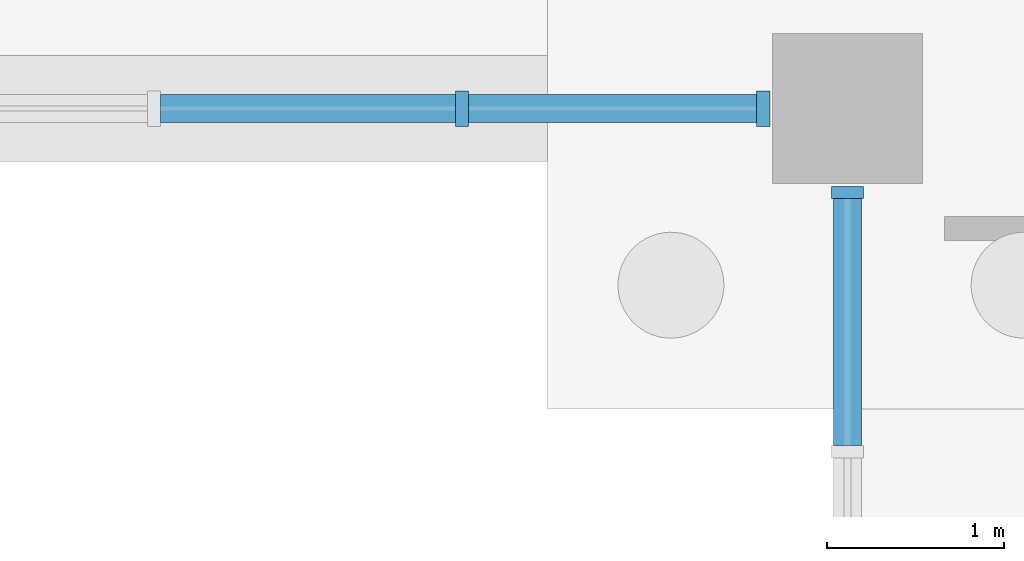
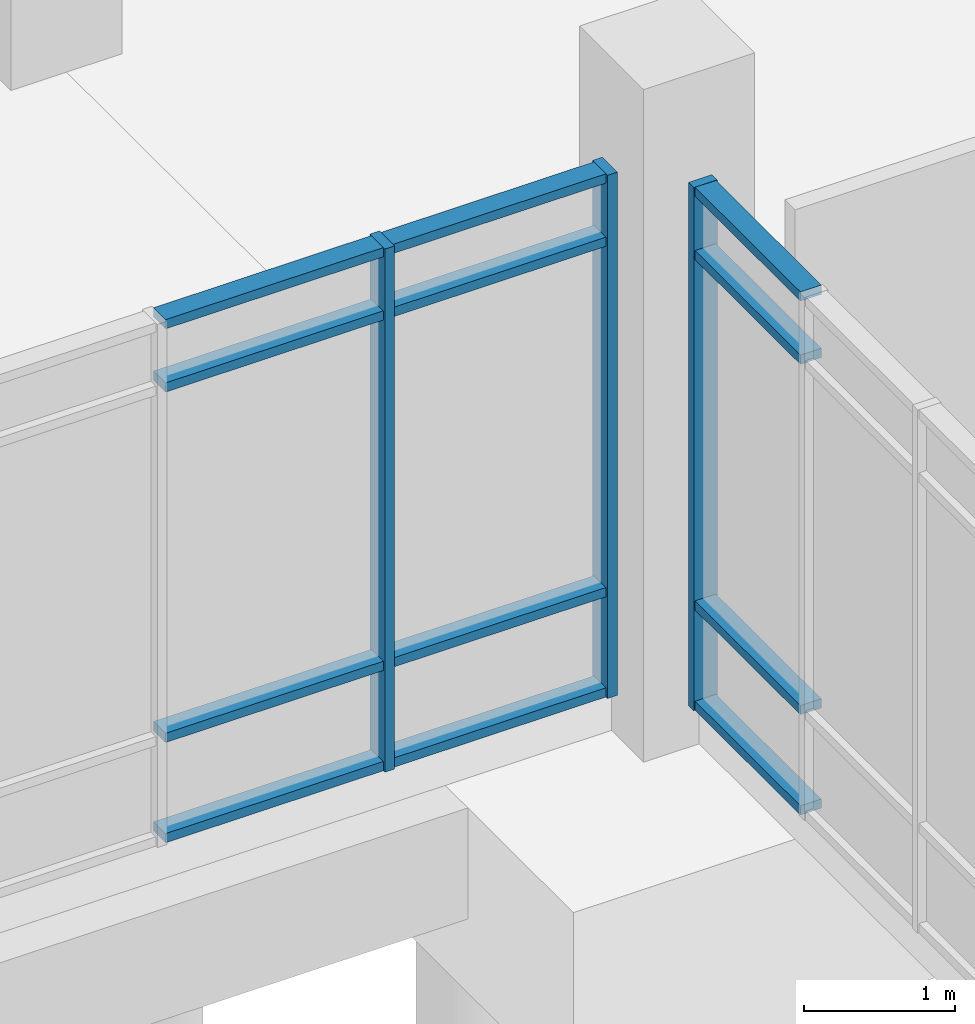
# One storey, part 56 of 136: 15 members, 2 elements without a shape of their own.
"""IFC4 building model written with IfcOpenShell, lengths in metres."""

from ifc_helpers import new_model, si_unit, direction, frame, origin, origin_2d, place, context, subcontext, project, spatial, rectangle, extrude, material, material_profile, profile_set, type_object, element, aggregate, save


model = new_model("IFC4")

# Units and contexts
model_context = context("Model", 3, precision=1e-05, world=origin(), true_north=direction((0.0, 1.0)))
body_context = subcontext(model_context, "Body", "Model", "MODEL_VIEW")
ifc_project = project(units=[si_unit("LENGTHUNIT", "METRE"), si_unit("AREAUNIT", "SQUARE_METRE"), si_unit("VOLUMEUNIT", "CUBIC_METRE"), si_unit("PLANEANGLEUNIT", "RADIAN"), si_unit("MASSUNIT", "GRAM", prefix="KILO")], contexts=[model_context])

# Site, building, storey
site_placement = place(None, origin())
site = spatial("IfcSite", under=ifc_project, at=site_placement, CompositionType="ELEMENT")
building_placement = place(site_placement, origin())
building = spatial("IfcBuilding", under=site, at=building_placement, Name="Oolite Switchyard Hospital", CompositionType="ELEMENT")
storey_placement = place(building_placement, origin())
storey = spatial("IfcBuildingStorey", under=building, at=storey_placement, Name="L00", CompositionType="ELEMENT", Elevation=0.0)

# Curtain wall, member
ifc_material_1 = material(Name="Thermally broken aluminum frame with laminated impact glazing", Category="aluminium")
curtain_wall_type_1 = type_object("IfcCurtainWallType", Name="CW-UNIT-84X51", PredefinedType="USERDEFINED", material=ifc_material_1)
curtain_wall_1_placement = place(storey_placement, origin())
curtain_wall_1 = element("IfcCurtainWall", 1, at=curtain_wall_1_placement, inside=storey, type_object=curtain_wall_type_1, Name="L00 Unitised Curtain Wall 85", ObjectType="UNITISED", PredefinedType="USERDEFINED")
ifc_material_2 = material(Name="Aluminium 6063-T6", Category="aluminium")
ifc_material_profile_1 = material_profile(ifc_material_2, rectangle(XDim=0.179931640625, YDim=0.070068359375, at=origin_2d()), Name="CWM70X180")
ifc_profile_set_1 = profile_set([ifc_material_profile_1], Name="Aluminium 6063-T6")
member_type_1 = type_object("IfcMemberType", Name="CW-MUL-220", PredefinedType="MULLION", material=ifc_profile_set_1)
member_1_placement = place(storey_placement, frame((182.39990234375, 58.324951171875, 0.0), z_axis=(0.0, 0.0, 1.0), x_axis=(-1.0, 0.0, 0.0)))
member_1 = element("IfcMember", 2, at=member_1_placement, type_object=member_type_1, Name="CW-06 mullion 6", PredefinedType="MULLION", context=body_context, shape_type="SweptSolid", body=[
    extrude(rectangle(XDim=0.179931640625, YDim=0.070068359375, at=origin_2d()), origin(), (0.0, 0.0, 1.0), 4.239990234375),
])

# Curtain wall, members
curtain_wall_type_2 = type_object("IfcCurtainWallType", Name="CW-UNIT-96X51", PredefinedType="USERDEFINED", material=ifc_material_1)
curtain_wall_2_placement = place(storey_placement, origin())
curtain_wall_2 = element("IfcCurtainWall", 3, at=curtain_wall_2_placement, inside=storey, type_object=curtain_wall_type_2, Name="L00 Unitised Curtain Wall 23", ObjectType="UNITISED", PredefinedType="USERDEFINED")
ifc_material_profile_2 = material_profile(ifc_material_2, rectangle(XDim=0.199951171875, YDim=0.074951171875, at=origin_2d()), Name="CWM75X200")
ifc_profile_set_2 = profile_set([ifc_material_profile_2], Name="Aluminium 6063-T6")
member_type_2 = type_object("IfcMemberType", Name="CW-MUL-260", PredefinedType="MULLION", material=ifc_profile_set_2)
member_2_placement = place(storey_placement, frame((181.922607421875, 58.800048828125, 0.0), z_axis=(0.0, 0.0, 1.0), x_axis=(0.0, -1.0, 0.0)))
member_2 = element("IfcMember", 4, at=member_2_placement, type_object=member_type_2, Name="CW-01 mullion 1", PredefinedType="MULLION", context=body_context, shape_type="SweptSolid", body=[
    extrude(rectangle(XDim=0.199951171875, YDim=0.074951171875, at=origin_2d()), origin(), (0.0, 0.0, 1.0), 4.239990234375),
])
member_3_placement = place(storey_placement, frame((180.216064453125, 58.800048828125, 0.0), z_axis=(0.0, 0.0, 1.0), x_axis=(0.0, -1.0, 0.0)))
member_3 = element("IfcMember", 5, at=member_3_placement, type_object=member_type_2, Name="CW-01 mullion 2", PredefinedType="MULLION", context=body_context, shape_type="SweptSolid", body=[
    extrude(rectangle(XDim=0.199951171875, YDim=0.074951171875, at=origin_2d()), origin(), (0.0, 0.0, 1.0), 4.239990234375),
])
ifc_material_profile_3 = material_profile(ifc_material_2, rectangle(XDim=0.159912109375, YDim=0.074951171875, at=origin_2d()), Name="CWT75X160")
ifc_profile_set_3 = profile_set([ifc_material_profile_3], Name="Aluminium 6063-T6")
member_type_3 = type_object("IfcMemberType", Name="CW-TRN-180", PredefinedType="USERDEFINED", material=ifc_profile_set_3)
member_4_placement = place(storey_placement, frame((181.885009765625, 58.800048828125, 0.03759765625), z_axis=(-1.0, 0.0, 0.0), x_axis=(0.0, -1.0, 0.0)))
member_4 = element("IfcMember", 6, at=member_4_placement, type_object=member_type_3, Name="CW-01 transom 1.1", ObjectType="TRANSOM", PredefinedType="USERDEFINED", context=body_context, shape_type="SweptSolid", body=[
    extrude(rectangle(XDim=0.159912109375, YDim=0.074951171875, at=origin_2d()), origin(), (0.0, 0.0, 1.0), 1.631591796875),
])
member_5_placement = place(storey_placement, frame((181.885009765625, 58.800048828125, 0.85009765625), z_axis=(-1.0, 0.0, 0.0), x_axis=(0.0, -1.0, 0.0)))
member_5 = element("IfcMember", 7, at=member_5_placement, type_object=member_type_3, Name="CW-01 transom 1.2", ObjectType="TRANSOM", PredefinedType="USERDEFINED", context=body_context, shape_type="SweptSolid", body=[
    extrude(rectangle(XDim=0.159912109375, YDim=0.074951171875, at=origin_2d()), origin(), (0.0, 0.0, 1.0), 1.631591796875),
])
member_6_placement = place(storey_placement, frame((181.885009765625, 58.800048828125, 3.68994140625), z_axis=(-1.0, 0.0, 0.0), x_axis=(0.0, -1.0, 0.0)))
member_6 = element("IfcMember", 8, at=member_6_placement, type_object=member_type_3, Name="CW-01 transom 1.3", ObjectType="TRANSOM", PredefinedType="USERDEFINED", context=body_context, shape_type="SweptSolid", body=[
    extrude(rectangle(XDim=0.159912109375, YDim=0.074951171875, at=origin_2d()), origin(), (0.0, 0.0, 1.0), 1.631591796875),
])
member_7_placement = place(storey_placement, frame((181.885009765625, 58.800048828125, 4.202392578125), z_axis=(-1.0, 0.0, 0.0), x_axis=(0.0, -1.0, 0.0)))
member_7 = element("IfcMember", 9, at=member_7_placement, type_object=member_type_3, Name="CW-01 transom 1.4", ObjectType="TRANSOM", PredefinedType="USERDEFINED", context=body_context, shape_type="SweptSolid", body=[
    extrude(rectangle(XDim=0.159912109375, YDim=0.074951171875, at=origin_2d()), origin(), (0.0, 0.0, 1.0), 1.631591796875),
])
member_8_placement = place(storey_placement, frame((180.178466796875, 58.800048828125, 0.03759765625), z_axis=(-1.0, 0.0, 0.0), x_axis=(0.0, -1.0, 0.0)))
member_8 = element("IfcMember", 10, at=member_8_placement, type_object=member_type_3, Name="CW-01 transom 2.1", ObjectType="TRANSOM", PredefinedType="USERDEFINED", context=body_context, shape_type="SweptSolid", body=[
    extrude(rectangle(XDim=0.159912109375, YDim=0.074951171875, at=origin_2d()), origin(), (0.0, 0.0, 1.0), 1.6689453125),
])
member_9_placement = place(storey_placement, frame((180.178466796875, 58.800048828125, 0.85009765625), z_axis=(-1.0, 0.0, 0.0), x_axis=(0.0, -1.0, 0.0)))
member_9 = element("IfcMember", 11, at=member_9_placement, type_object=member_type_3, Name="CW-01 transom 2.2", ObjectType="TRANSOM", PredefinedType="USERDEFINED", context=body_context, shape_type="SweptSolid", body=[
    extrude(rectangle(XDim=0.159912109375, YDim=0.074951171875, at=origin_2d()), origin(), (0.0, 0.0, 1.0), 1.6689453125),
])
member_10_placement = place(storey_placement, frame((180.178466796875, 58.800048828125, 3.68994140625), z_axis=(-1.0, 0.0, 0.0), x_axis=(0.0, -1.0, 0.0)))
member_10 = element("IfcMember", 12, at=member_10_placement, type_object=member_type_3, Name="CW-01 transom 2.3", ObjectType="TRANSOM", PredefinedType="USERDEFINED", context=body_context, shape_type="SweptSolid", body=[
    extrude(rectangle(XDim=0.159912109375, YDim=0.074951171875, at=origin_2d()), origin(), (0.0, 0.0, 1.0), 1.6689453125),
])
member_11_placement = place(storey_placement, frame((180.178466796875, 58.800048828125, 4.202392578125), z_axis=(-1.0, 0.0, 0.0), x_axis=(0.0, -1.0, 0.0)))
member_11 = element("IfcMember", 13, at=member_11_placement, type_object=member_type_3, Name="CW-01 transom 2.4", ObjectType="TRANSOM", PredefinedType="USERDEFINED", context=body_context, shape_type="SweptSolid", body=[
    extrude(rectangle(XDim=0.159912109375, YDim=0.074951171875, at=origin_2d()), origin(), (0.0, 0.0, 1.0), 1.6689453125),
])
aggregate(curtain_wall_2, [member_2, member_3, member_4, member_5, member_6, member_7, member_8, member_9, member_10, member_11])

# Member
member_12_placement = place(storey_placement, frame((182.39990234375, 56.89111328125, 0.03759765625), z_axis=(0.0, 1.0, 0.0), x_axis=(-1.0, 0.0, 0.0)))
member_12 = element("IfcMember", 14, at=member_12_placement, type_object=member_type_3, Name="CW-06 transom 5.1", ObjectType="TRANSOM", PredefinedType="USERDEFINED", context=body_context, shape_type="SweptSolid", body=[
    extrude(rectangle(XDim=0.159912109375, YDim=0.074951171875, at=origin_2d()), origin(), (0.0, 0.0, 1.0), 1.39892578125),
])

member_13_placement = place(storey_placement, frame((182.39990234375, 56.89111328125, 0.85009765625), z_axis=(0.0, 1.0, 0.0), x_axis=(-1.0, 0.0, 0.0)))
member_13 = element("IfcMember", 15, at=member_13_placement, type_object=member_type_3, Name="CW-06 transom 5.2", ObjectType="TRANSOM", PredefinedType="USERDEFINED", context=body_context, shape_type="SweptSolid", body=[
    extrude(rectangle(XDim=0.159912109375, YDim=0.074951171875, at=origin_2d()), origin(), (0.0, 0.0, 1.0), 1.39892578125),
])

member_14_placement = place(storey_placement, frame((182.39990234375, 56.89111328125, 3.68994140625), z_axis=(0.0, 1.0, 0.0), x_axis=(-1.0, 0.0, 0.0)))
member_14 = element("IfcMember", 16, at=member_14_placement, type_object=member_type_3, Name="CW-06 transom 5.3", ObjectType="TRANSOM", PredefinedType="USERDEFINED", context=body_context, shape_type="SweptSolid", body=[
    extrude(rectangle(XDim=0.159912109375, YDim=0.074951171875, at=origin_2d()), origin(), (0.0, 0.0, 1.0), 1.39892578125),
])

member_15_placement = place(storey_placement, frame((182.39990234375, 56.89111328125, 4.202392578125), z_axis=(0.0, 1.0, 0.0), x_axis=(-1.0, 0.0, 0.0)))
member_15 = element("IfcMember", 17, at=member_15_placement, type_object=member_type_3, Name="CW-06 transom 5.4", ObjectType="TRANSOM", PredefinedType="USERDEFINED", context=body_context, shape_type="SweptSolid", body=[
    extrude(rectangle(XDim=0.159912109375, YDim=0.074951171875, at=origin_2d()), origin(), (0.0, 0.0, 1.0), 1.39892578125),
])

aggregate(curtain_wall_1, [member_1, member_12, member_13, member_14, member_15])

save(model, "model.ifc")
